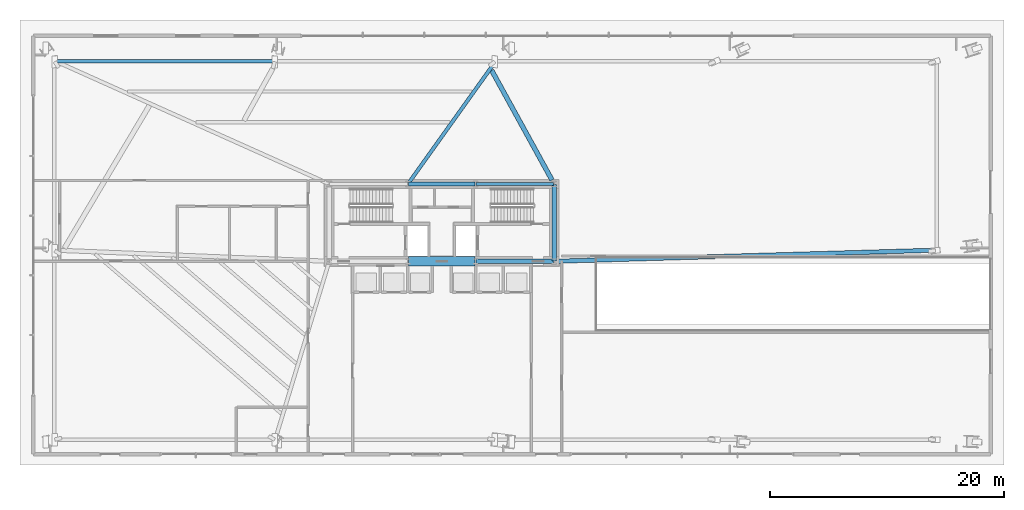
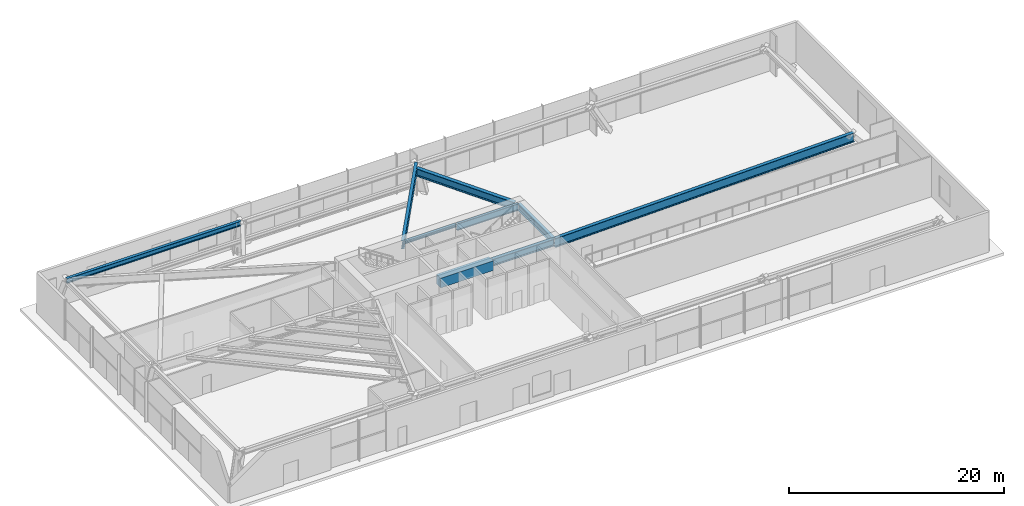
# One storey, part 14 of 31: 9 beams.
"""IFC4 building model written with IfcOpenShell, lengths in metres."""

from ifc_helpers import new_model, si_unit, direction, frame, origin, origin_2d, place, context, subcontext, project, spatial, rectangle, i_section, extrude, source, transform, mapped, material, material_profile, profile_set, type_object, type_shapes, element, save


model = new_model("IFC4")

# Units and contexts
model_context = context("Model", 3, precision=1e-05, world=origin(), true_north=direction((0.0, 1.0)))
body_context = subcontext(model_context, "Body", "Model", "MODEL_VIEW")
ifc_project = project(units=[si_unit("LENGTHUNIT", "METRE"), si_unit("AREAUNIT", "SQUARE_METRE"), si_unit("VOLUMEUNIT", "CUBIC_METRE"), si_unit("PLANEANGLEUNIT", "RADIAN"), si_unit("MASSUNIT", "GRAM", prefix="KILO")], contexts=[model_context])

# Site, building, storey
site_placement = place(None, origin())
site = spatial("IfcSite", under=ifc_project, at=site_placement, CompositionType="ELEMENT")
building_placement = place(site_placement, origin())
building = spatial("IfcBuilding", under=site, at=building_placement, Name="Astriad Promenade Condominiums", CompositionType="ELEMENT")
storey_placement = place(building_placement, origin())
storey = spatial("IfcBuildingStorey", under=building, at=storey_placement, Name="L00", CompositionType="ELEMENT", Elevation=0.0)

# Beams
ifc_material_1 = material(Name="Steel ASTM A992 Grade 50", Category="steel")
ifc_material_profile_1 = material_profile(ifc_material_1, i_section(OverallWidth=0.3837890625, OverallDepth=0.785888671875, WebThickness=0.019775390625, FlangeThickness=0.033447265625, FilletRadius=0.021484375, at=origin_2d()), Name="W30X211")
ifc_profile_set_1 = profile_set([ifc_material_profile_1], Name="Steel ASTM A992 Grade 50")
beam_type_1 = type_object("IfcBeamType", Name="STEEL FLOOR GIRDER W30X211", PredefinedType="BEAM", material=ifc_profile_set_1)
shared_shape_1 = source(origin(), body_context, "Body", "SweptSolid", [
    extrude(i_section(OverallWidth=0.3837890625, OverallDepth=0.785888671875, WebThickness=0.019775390625, FlangeThickness=0.033447265625, FilletRadius=0.021484375, at=origin_2d()), origin(), (0.0, 0.0, 1.0), 6.64013671875),
])
type_shapes(beam_type_1, [shared_shape_1])
beam_1_placement = place(storey_placement, frame((38.919921875, 17.39990234375, 4.18701171875), z_axis=(1.0, 0.0, 0.0), x_axis=(0.0, 1.0, 0.0)))
element("IfcBeam", 1, at=beam_1_placement, inside=storey, type_object=beam_type_1, Name="Core Ring Beam CG-S3-L00", PredefinedType="BEAM", context=body_context, shape_type="MappedRepresentation", body=[
    mapped(shared_shape_1, transform((0.0, 0.0, 0.0), scale=1.0)),
])
ifc_material_2 = material(Name="Concrete C80/95", Category="concrete")
ifc_material_profile_2 = material_profile(ifc_material_2, rectangle(XDim=0.800048828125, YDim=1.10009765625, at=origin_2d()), Name="RC-BM-800X1100")
ifc_profile_set_2 = profile_set([ifc_material_profile_2], Name="Concrete C80/95")
beam_type_2 = type_object("IfcBeamType", Name="CONCRETE CORE COUPLING LINTEL 800X1100", PredefinedType="LINTEL", material=ifc_profile_set_2)
shared_shape_2 = source(origin(), body_context, "Body", "SweptSolid", [
    extrude(rectangle(XDim=0.800048828125, YDim=1.10009765625, at=origin_2d()), origin(), (0.0, 0.0, 1.0), 5.68017578125),
])
type_shapes(beam_type_2, [shared_shape_2])
beam_2_placement = place(storey_placement, frame((33.159912109375, 17.39990234375, 4.030029296875), z_axis=(1.0, 0.0, 0.0), x_axis=(0.0, 1.0, 0.0)))
element("IfcBeam", 2, at=beam_2_placement, inside=storey, type_object=beam_type_2, Name="Core Ring Beam CG-S2-L00", PredefinedType="LINTEL", context=body_context, shape_type="MappedRepresentation", body=[
    mapped(shared_shape_2, transform((0.0, 0.0, 0.0), scale=1.0)),
])
ifc_material_profile_3 = material_profile(ifc_material_1, i_section(OverallWidth=0.267822265625, OverallDepth=0.76953125, WebThickness=0.015625, FlangeThickness=0.025390625, FilletRadius=0.021484375, at=origin_2d()), Name="W30X132")
ifc_profile_set_3 = profile_set([ifc_material_profile_3], Name="Steel ASTM A992 Grade 50")
beam_type_3 = type_object("IfcBeamType", Name="STEEL FLOOR GIRDER W30X132", PredefinedType="BEAM", material=ifc_profile_set_3)
shared_shape_3 = source(origin(), body_context, "Body", "SweptSolid", [
    extrude(i_section(OverallWidth=0.267822265625, OverallDepth=0.76953125, WebThickness=0.015625, FlangeThickness=0.025390625, FilletRadius=0.021484375, at=origin_2d()), origin(), (0.0, 0.0, 1.0), 6.64013671875),
])
type_shapes(beam_type_3, [shared_shape_3])
beam_3_placement = place(storey_placement, frame((38.919921875, 24.0, 4.1953125), z_axis=(1.0, 0.0, 0.0), x_axis=(0.0, 1.0, 0.0)))
element("IfcBeam", 3, at=beam_3_placement, inside=storey, type_object=beam_type_3, Name="Core Ring Beam CG-N3-L00", PredefinedType="BEAM", context=body_context, shape_type="MappedRepresentation", body=[
    mapped(shared_shape_3, transform((0.0, 0.0, 0.0), scale=1.0)),
])
ifc_material_profile_4 = material_profile(ifc_material_1, i_section(OverallWidth=0.3046875, OverallDepth=0.307861328125, WebThickness=0.010009765625, FlangeThickness=0.015380859375, FilletRadius=0.01513671875, at=origin_2d()), Name="W12X65")
ifc_profile_set_4 = profile_set([ifc_material_profile_4], Name="Steel ASTM A992 Grade 50")
beam_type_4 = type_object("IfcBeamType", Name="STEEL OPENING LINTEL W12X65", PredefinedType="LINTEL", material=ifc_profile_set_4)
shared_shape_4 = source(origin(), body_context, "Body", "SweptSolid", [
    extrude(i_section(OverallWidth=0.3046875, OverallDepth=0.307861328125, WebThickness=0.010009765625, FlangeThickness=0.015380859375, FilletRadius=0.01513671875, at=origin_2d()), origin(), (0.0, 0.0, 1.0), 5.68017578125),
])
type_shapes(beam_type_4, [shared_shape_4])
beam_4_placement = place(storey_placement, frame((33.159912109375, 24.0, 4.426025390625), z_axis=(1.0, 0.0, 0.0), x_axis=(0.0, 1.0, 0.0)))
element("IfcBeam", 4, at=beam_4_placement, inside=storey, type_object=beam_type_4, Name="Core Ring Beam CG-N2-L00", PredefinedType="LINTEL", context=body_context, shape_type="MappedRepresentation", body=[
    mapped(shared_shape_4, transform((0.0, 0.0, 0.0), scale=1.0)),
])
ifc_material_profile_5 = material_profile(ifc_material_1, i_section(OverallWidth=0.35791015625, OverallDepth=0.706298828125, WebThickness=0.018310546875, FlangeThickness=0.0302734375, FilletRadius=0.020263671875, at=origin_2d()), Name="W27X178")
ifc_profile_set_5 = profile_set([ifc_material_profile_5], Name="Steel ASTM A992 Grade 50")
beam_type_5 = type_object("IfcBeamType", Name="STEEL FLOOR GIRDER W27X178", PredefinedType="BEAM", material=ifc_profile_set_5)
shared_shape_5 = source(origin(), body_context, "Body", "SweptSolid", [
    extrude(i_section(OverallWidth=0.35791015625, OverallDepth=0.706298828125, WebThickness=0.018310546875, FlangeThickness=0.0302734375, FilletRadius=0.020263671875, at=origin_2d()), origin(), (0.0, 0.0, 1.0), 6.52001953125),
])
type_shapes(beam_type_5, [shared_shape_5])
beam_5_placement = place(storey_placement, frame((45.60009765625, 17.43994140625, 4.226806640625), z_axis=(0.0, 1.0, 0.0), x_axis=(-1.0, 0.0, 0.0)))
element("IfcBeam", 5, at=beam_5_placement, inside=storey, type_object=beam_type_5, Name="Core Ring Beam CG-E1-L00", PredefinedType="BEAM", context=body_context, shape_type="MappedRepresentation", body=[
    mapped(shared_shape_5, transform((0.0, 0.0, 0.0), scale=1.0)),
])
ifc_material_profile_6 = material_profile(ifc_material_1, i_section(OverallWidth=0.3134765625, OverallDepth=0.54638671875, WebThickness=0.013916015625, FlangeThickness=0.022216796875, FilletRadius=0.0166015625, at=origin_2d()), Name="W21X111")
ifc_profile_set_6 = profile_set([ifc_material_profile_6], Name="Steel ASTM A992 Grade 50")
beam_type_6 = type_object("IfcBeamType", Name="STEEL SPANDREL BEAM W21X111", PredefinedType="SPANDREL", material=ifc_profile_set_6)
shared_shape_6 = source(origin(), body_context, "Body", "SweptSolid", [
    extrude(i_section(OverallWidth=0.3134765625, OverallDepth=0.54638671875, WebThickness=0.013916015625, FlangeThickness=0.022216796875, FilletRadius=0.0166015625, at=origin_2d()), origin(), (0.0, 0.0, 1.0), 18.748779296875),
])
type_shapes(beam_type_6, [shared_shape_6])
beam_6_placement = place(storey_placement, frame((21.720947265625, 34.491455078125, 4.306884765625), z_axis=(-0.999999999915, 1.3021681e-05, 0.0), x_axis=(-1.3021681e-05, -0.999999999915, 0.0)))
element("IfcBeam", 6, at=beam_6_placement, inside=storey, type_object=beam_type_6, Name="Perimeter Spandrel Beam SP-N1-L00", PredefinedType="SPANDREL", context=body_context, shape_type="MappedRepresentation", body=[
    mapped(shared_shape_6, transform((0.0, 0.0, 0.0), scale=1.0)),
])
ifc_material_profile_7 = material_profile(ifc_material_1, i_section(OverallWidth=0.361083984375, OverallDepth=1.025634765625, WebThickness=0.01904296875, FlangeThickness=0.0361328125, FilletRadius=0.025390625, at=origin_2d()), Name="W40X249")
ifc_profile_set_7 = profile_set([ifc_material_profile_7], Name="Steel ASTM A992 Grade 50")
beam_type_7 = type_object("IfcBeamType", Name="STEEL PODIUM GIRDER W40X249", PredefinedType="BEAM", material=ifc_profile_set_7)
shared_shape_7 = source(origin(), body_context, "Body", "SweptSolid", [
    extrude(i_section(OverallWidth=0.361083984375, OverallDepth=1.025634765625, WebThickness=0.01904296875, FlangeThickness=0.0361328125, FilletRadius=0.025390625, at=origin_2d()), origin(), (0.0, 0.0, 1.0), 32.779541015625),
])
type_shapes(beam_type_7, [shared_shape_7])
beam_7_placement = place(storey_placement, frame((78.405517578125, 18.354736328125, 4.067138671875), z_axis=(-0.999576745212, -0.029091758813, 0.0), x_axis=(0.029091758813, -0.999576745212, 0.0)))
element("IfcBeam", 7, at=beam_7_placement, inside=storey, type_object=beam_type_7, Name="Primary Floor Girder PG-EM-L00", PredefinedType="BEAM", context=body_context, shape_type="MappedRepresentation", body=[
    mapped(shared_shape_7, transform((0.0, 0.0, 0.0), scale=1.0)),
])
ifc_material_profile_8 = material_profile(ifc_material_1, i_section(OverallWidth=0.307861328125, OverallDepth=0.9267578125, WebThickness=0.019287109375, FlangeThickness=0.031982421875, FilletRadius=0.024169921875, at=origin_2d()), Name="W36X194")
ifc_profile_set_8 = profile_set([ifc_material_profile_8], Name="Steel ASTM A992 Grade 50")
beam_type_8 = type_object("IfcBeamType", Name="STEEL PRIMARY GIRDER W36X194", PredefinedType="BEAM", material=ifc_profile_set_8)
shared_shape_8 = source(origin(), body_context, "Body", "SweptSolid", [
    extrude(i_section(OverallWidth=0.307861328125, OverallDepth=0.9267578125, WebThickness=0.019287109375, FlangeThickness=0.031982421875, FilletRadius=0.024169921875, at=origin_2d()), origin(), (0.0, 0.0, 1.0), 12.87548828125),
])
type_shapes(beam_type_8, [shared_shape_8])
beam_8_placement = place(storey_placement, frame((40.62841796875, 34.5087890625, 4.11669921875), z_axis=(-0.581342221268, -0.813659155772, 0.0), x_axis=(0.813659155772, -0.581342221268, 0.0)))
element("IfcBeam", 8, at=beam_8_placement, inside=storey, type_object=beam_type_8, Name="Primary Floor Girder PG-NC-L00", PredefinedType="BEAM", context=body_context, shape_type="MappedRepresentation", body=[
    mapped(shared_shape_8, transform((0.0, 0.0, 0.0), scale=1.0)),
])
ifc_material_profile_9 = material_profile(ifc_material_1, i_section(OverallWidth=0.4013671875, OverallDepth=0.877197265625, WebThickness=0.022216796875, FlangeThickness=0.039794921875, FilletRadius=0.02294921875, at=origin_2d()), Name="W33X263")
ifc_profile_set_9 = profile_set([ifc_material_profile_9], Name="Steel ASTM A992 Grade 50")
beam_type_9 = type_object("IfcBeamType", Name="STEEL TRANSFER CARRIER GIRDER W33X263", PredefinedType="BEAM", material=ifc_profile_set_9)
shared_shape_9 = source(origin(), body_context, "Body", "SweptSolid", [
    extrude(i_section(OverallWidth=0.4013671875, OverallDepth=0.877197265625, WebThickness=0.022216796875, FlangeThickness=0.039794921875, FilletRadius=0.02294921875, at=origin_2d()), origin(), (0.0, 0.0, 1.0), 10.7021484375),
])
type_shapes(beam_type_9, [shared_shape_9])
beam_9_placement = place(storey_placement, frame((45.416259765625, 24.333984375, 4.141357421875), z_axis=(-0.481909992624, 0.876220725051, 0.0), x_axis=(-0.876220725051, -0.481909992624, 0.0)))
element("IfcBeam", 9, at=beam_9_placement, inside=storey, type_object=beam_type_9, Name="Transfer Splice Carrier TRM-SP-PC08-L00", PredefinedType="BEAM", context=body_context, shape_type="MappedRepresentation", body=[
    mapped(shared_shape_9, transform((0.0, 0.0, 0.0), scale=1.0)),
])

save(model, "model.ifc")
